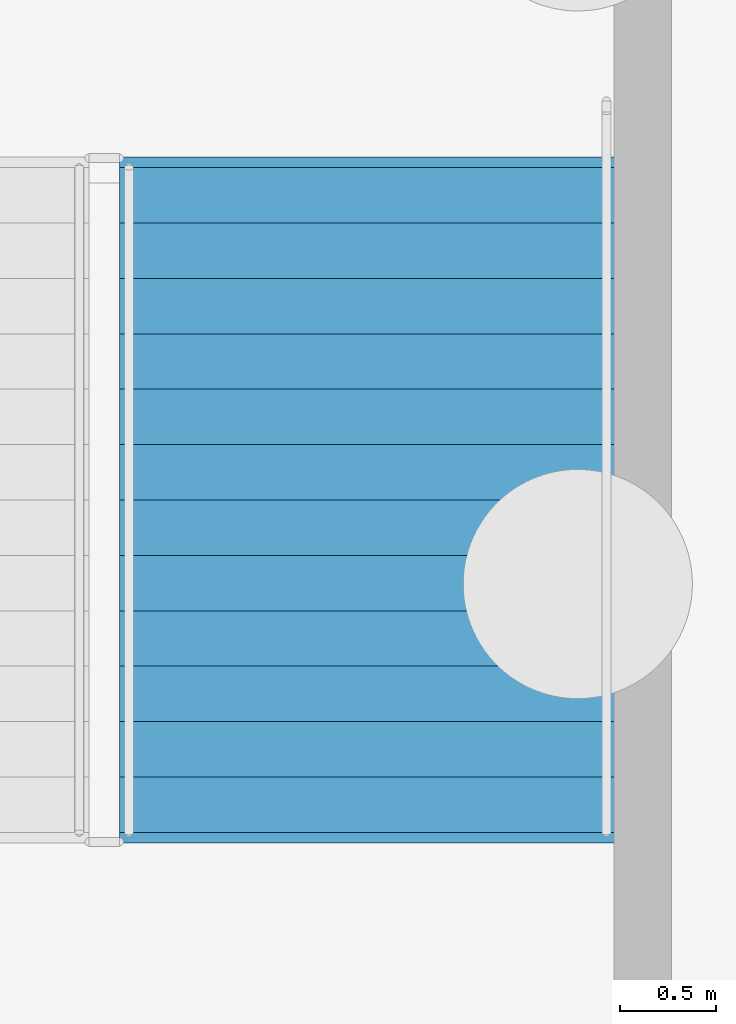
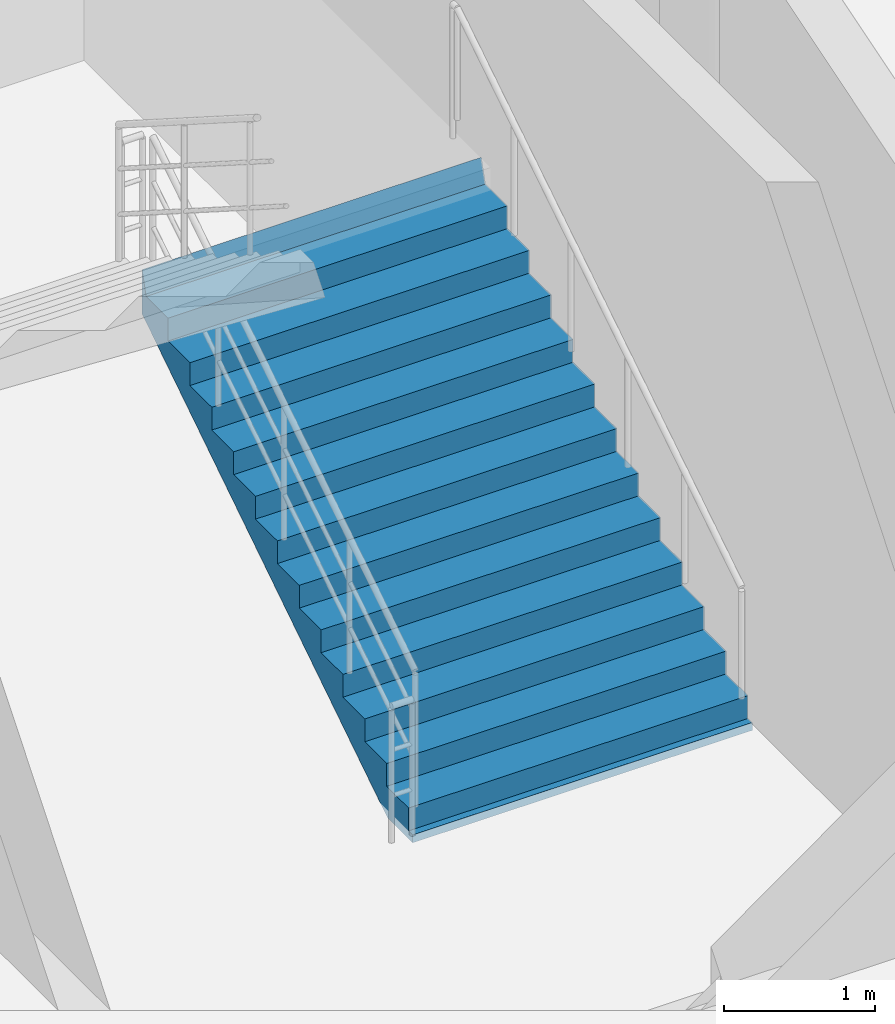
# One storey, part 55 of 68: 1 stair flight, 1 element without a shape of its own.
"""IFC4 building model written with IfcOpenShell, lengths in metres."""

from ifc_helpers import new_model, si_unit, direction, frame, origin, place, context, subcontext, project, spatial, polyline, outline, extrude, material, type_object, element, aggregate, save


model = new_model("IFC4")

# Units and contexts
model_context = context("Model", 3, precision=1e-05, world=origin(), true_north=direction((0.0, 1.0)))
body_context = subcontext(model_context, "Body", "Model", "MODEL_VIEW")
ifc_project = project(units=[si_unit("LENGTHUNIT", "METRE"), si_unit("AREAUNIT", "SQUARE_METRE"), si_unit("VOLUMEUNIT", "CUBIC_METRE"), si_unit("PLANEANGLEUNIT", "RADIAN"), si_unit("MASSUNIT", "GRAM", prefix="KILO")], contexts=[model_context])

# Site, building, storey
site_placement = place(None, origin())
site = spatial("IfcSite", under=ifc_project, at=site_placement, CompositionType="ELEMENT")
building_placement = place(site_placement, origin())
building = spatial("IfcBuilding", under=site, at=building_placement, Name="Cinderbank Siding Concert Hall", CompositionType="ELEMENT")
storey_placement = place(building_placement, frame((0.0, 0.0, -4.800048828125)))
storey = spatial("IfcBuildingStorey", under=building, at=storey_placement, Name="B1", CompositionType="ELEMENT", Elevation=-4.800048828125)

# Stair, stair flight
ifc_material = material(Name="Reinforced concrete AS 3600 N50 (50 MPa)", Category="concrete")
stair_type = type_object("IfcStairType", Name="STR-B Dogleg Exit Stair 2600mm", PredefinedType="HALF_TURN_STAIR", material=ifc_material)
stair_placement = place(storey_placement, origin())
stair = element("IfcStair", 1, at=stair_placement, inside=storey, type_object=stair_type, Name="B1 Fire-isolated Exit Stair ST-03", PredefinedType="HALF_TURN_STAIR")
stair_flight_type = type_object("IfcStairFlightType", Name="SFL-B Concrete Stair Flight 2600mm", PredefinedType="STRAIGHT", material=ifc_material)
stair_flight_placement = place(storey_placement, frame((145.89990234375, 40.89990234375, 0.0), z_axis=(0.0, 0.0, 1.0), x_axis=(0.0, 1.0, 0.0)))
stair_flight = element("IfcStairFlight", 2, at=stair_flight_placement, type_object=stair_flight_type, Name="ST-03 flight 1", NumberOfRisers=13, NumberOfTreads=12, PredefinedType="STRAIGHT", RiserHeight=0.184615385, TreadLength=0.29, context=body_context, shape_type="SweptSolid", body=[
    extrude(outline(polyline([(0.0, 0.0), (0.0, 0.1845703125), (0.2900390625, 0.1845703125), (0.2900390625, 0.369140625), (0.580078125, 0.369140625), (0.580078125, 0.553955078125), (0.8701171875, 0.553955078125), (0.8701171875, 0.738525390625), (1.159912109375, 0.738525390625), (1.159912109375, 0.923095703125), (1.449951171875, 0.923095703125), (1.449951171875, 1.107666015625), (1.739990234375, 1.107666015625), (1.739990234375, 1.292236328125), (2.030029296875, 1.292236328125), (2.030029296875, 1.476806640625), (2.320068359375, 1.476806640625), (2.320068359375, 1.66162109375), (2.610107421875, 1.66162109375), (2.610107421875, 1.84619140625), (2.89990234375, 1.84619140625), (2.89990234375, 2.03076171875), (3.18994140625, 2.03076171875), (3.18994140625, 2.21533203125), (3.47998046875, 2.21533203125), (3.534912109375, 2.39990234375), (3.534912109375, 2.03759765625), (3.53466796875, 2.037841796875), (3.53466796875, 2.0380859375), (3.53466796875, 2.038330078125), (3.53466796875, 2.03857421875), (3.53466796875, 2.038818359375), (3.53466796875, 2.0390625), (3.53466796875, 2.039306640625), (3.53466796875, 2.03955078125), (3.53466796875, 2.039794921875), (3.53466796875, 2.0400390625), (3.53466796875, 2.040283203125), (3.53466796875, 2.04052734375), (3.534423828125, 2.04052734375), (3.534423828125, 2.040283203125), (3.534423828125, 2.0400390625), (3.534423828125, 2.039794921875), (3.534423828125, 2.03955078125), (3.534423828125, 2.039306640625), (3.534423828125, 2.0390625), (3.534423828125, 2.038818359375), (3.534423828125, 2.03857421875), (3.534423828125, 2.038330078125), (3.534423828125, 2.0380859375), (3.534423828125, 2.037841796875), (3.534423828125, 2.03759765625), (3.5341796875, 2.037841796875), (3.5341796875, 2.0380859375), (3.5341796875, 2.038330078125), (3.5341796875, 2.03857421875), (3.5341796875, 2.038818359375), (3.5341796875, 2.0390625), (3.5341796875, 2.039306640625), (3.5341796875, 2.03955078125), (3.5341796875, 2.039794921875), (3.5341796875, 2.0400390625), (3.5341796875, 2.040283203125), (3.5341796875, 2.04052734375), (3.533935546875, 2.04052734375), (3.533935546875, 2.040283203125), (3.533935546875, 2.0400390625), (3.533935546875, 2.039794921875), (3.533935546875, 2.03955078125), (3.533935546875, 2.039306640625), (3.533935546875, 2.0390625), (3.533935546875, 2.038818359375), (3.533935546875, 2.03857421875), (3.533935546875, 2.038330078125), (3.533935546875, 2.0380859375), (3.533935546875, 2.037841796875), (3.533935546875, 2.03759765625), (3.53369140625, 2.037841796875), (3.53369140625, 2.0380859375), (3.53369140625, 2.038330078125), (3.53369140625, 2.03857421875), (3.53369140625, 2.038818359375), (3.53369140625, 2.0390625), (3.53369140625, 2.039306640625), (3.53369140625, 2.03955078125), (3.53369140625, 2.039794921875), (3.53369140625, 2.0400390625), (3.53369140625, 2.040283203125), (3.53369140625, 2.04052734375), (3.533447265625, 2.04052734375), (3.533447265625, 2.040283203125), (3.533447265625, 2.0400390625), (3.533447265625, 2.039794921875), (3.533447265625, 2.03955078125), (3.533447265625, 2.039306640625), (3.533447265625, 2.0390625), (3.533447265625, 2.038818359375), (3.533447265625, 2.03857421875), (3.533447265625, 2.038330078125), (3.533447265625, 2.0380859375), (3.533447265625, 2.037841796875), (3.533447265625, 2.03759765625), (3.533203125, 2.037841796875), (3.533203125, 2.0380859375), (3.533203125, 2.038330078125), (3.533203125, 2.03857421875), (3.533203125, 2.038818359375), (3.533203125, 2.0390625), (3.533203125, 2.039306640625), (3.533203125, 2.03955078125), (3.533203125, 2.039794921875), (3.533203125, 2.0400390625), (3.533203125, 2.040283203125), (3.533203125, 2.04052734375), (3.532958984375, 2.04052734375), (3.532958984375, 2.040283203125), (3.532958984375, 2.0400390625), (3.532958984375, 2.039794921875), (3.532958984375, 2.03955078125), (3.532958984375, 2.039306640625), (3.532958984375, 2.0390625), (3.532958984375, 2.038818359375), (3.532958984375, 2.03857421875), (3.532958984375, 2.038330078125), (3.532958984375, 2.0380859375), (3.532958984375, 2.037841796875), (3.532958984375, 2.03759765625), (3.53271484375, 2.037841796875), (3.53271484375, 2.0380859375), (3.53271484375, 2.038330078125), (3.53271484375, 2.03857421875), (3.53271484375, 2.038818359375), (3.53271484375, 2.0390625), (3.53271484375, 2.039306640625), (3.53271484375, 2.03955078125), (3.53271484375, 2.039794921875), (3.53271484375, 2.0400390625), (3.53271484375, 2.040283203125), (3.53271484375, 2.04052734375), (3.532470703125, 2.04052734375), (3.532470703125, 2.040283203125), (3.532470703125, 2.0400390625), (3.532470703125, 2.039794921875), (3.532470703125, 2.03955078125), (3.532470703125, 2.039306640625), (3.532470703125, 2.0390625), (3.532470703125, 2.038818359375), (3.532470703125, 2.03857421875), (3.532470703125, 2.038330078125), (3.532470703125, 2.0380859375), (3.532470703125, 2.037841796875), (3.532470703125, 2.03759765625), (3.5322265625, 2.037841796875), (3.5322265625, 2.0380859375), (3.5322265625, 2.038330078125), (3.5322265625, 2.03857421875), (3.5322265625, 2.038818359375), (3.5322265625, 2.0390625), (3.5322265625, 2.039306640625), (3.5322265625, 2.03955078125), (3.5322265625, 2.039794921875), (3.5322265625, 2.0400390625), (3.5322265625, 2.040283203125), (3.5322265625, 2.04052734375), (3.531982421875, 2.04052734375), (3.531982421875, 2.040283203125), (3.531982421875, 2.0400390625), (3.531982421875, 2.039794921875), (3.531982421875, 2.03955078125), (3.531982421875, 2.039306640625), (3.531982421875, 2.0390625), (3.531982421875, 2.038818359375), (3.531982421875, 2.03857421875), (3.531982421875, 2.038330078125), (3.531982421875, 2.0380859375), (3.531982421875, 2.037841796875), (3.531982421875, 2.03759765625), (3.53173828125, 2.037841796875), (3.53173828125, 2.0380859375), (3.53173828125, 2.038330078125), (3.53173828125, 2.03857421875), (3.53173828125, 2.038818359375), (3.53173828125, 2.0390625), (3.53173828125, 2.039306640625), (3.53173828125, 2.03955078125), (3.53173828125, 2.039794921875), (3.53173828125, 2.0400390625), (3.53173828125, 2.040283203125), (3.53173828125, 2.04052734375), (3.531494140625, 2.04052734375), (3.531494140625, 2.040283203125), (3.531494140625, 2.0400390625), (3.531494140625, 2.039794921875), (3.531494140625, 2.03955078125), (3.531494140625, 2.039306640625), (3.531494140625, 2.0390625), (3.531494140625, 2.038818359375), (3.531494140625, 2.03857421875), (3.531494140625, 2.038330078125), (3.531494140625, 2.0380859375), (3.531494140625, 2.037841796875), (3.531494140625, 2.03759765625), (3.53125, 2.037841796875), (3.53125, 2.0380859375), (3.53125, 2.038330078125), (3.53125, 2.03857421875), (3.53125, 2.038818359375), (3.53125, 2.0390625), (3.53125, 2.039306640625), (3.53125, 2.03955078125), (3.53125, 2.039794921875), (3.53125, 2.0400390625), (3.53125, 2.040283203125), (3.53125, 2.04052734375), (3.531005859375, 2.04052734375), (3.531005859375, 2.040283203125), (3.531005859375, 2.0400390625), (3.531005859375, 2.039794921875), (3.531005859375, 2.03955078125), (3.531005859375, 2.039306640625), (3.531005859375, 2.0390625), (3.531005859375, 2.038818359375), (3.531005859375, 2.03857421875), (3.531005859375, 2.038330078125), (3.531005859375, 2.0380859375), (3.531005859375, 2.037841796875), (3.531005859375, 2.03759765625), (3.53076171875, 2.037841796875), (3.53076171875, 2.0380859375), (3.53076171875, 2.038330078125), (3.53076171875, 2.03857421875), (3.53076171875, 2.038818359375), (3.53076171875, 2.0390625), (3.53076171875, 2.039306640625), (3.53076171875, 2.03955078125), (3.53076171875, 2.039794921875), (3.53076171875, 2.0400390625), (3.53076171875, 2.040283203125), (3.53076171875, 2.04052734375), (3.530517578125, 2.04052734375), (3.530517578125, 2.040283203125), (3.530517578125, 2.0400390625), (3.530517578125, 2.039794921875), (3.530517578125, 2.03955078125), (3.530517578125, 2.039306640625), (3.530517578125, 2.0390625), (3.530517578125, 2.038818359375), (3.530517578125, 2.03857421875), (3.530517578125, 2.038330078125), (3.530517578125, 2.0380859375), (3.530517578125, 2.037841796875), (3.530517578125, 2.03759765625), (3.5302734375, 2.037841796875), (3.5302734375, 2.0380859375), (3.5302734375, 2.038330078125), (3.5302734375, 2.03857421875), (3.5302734375, 2.038818359375), (3.5302734375, 2.0390625), (3.5302734375, 2.039306640625), (3.5302734375, 2.03955078125), (3.5302734375, 2.039794921875), (3.5302734375, 2.0400390625), (3.5302734375, 2.040283203125), (3.5302734375, 2.04052734375), (3.530029296875, 2.04052734375), (3.530029296875, 2.040283203125), (3.530029296875, 2.0400390625), (3.530029296875, 2.039794921875), (3.530029296875, 2.03955078125), (3.530029296875, 2.039306640625), (3.530029296875, 2.0390625), (3.530029296875, 2.038818359375), (3.530029296875, 2.03857421875), (3.530029296875, 2.038330078125), (3.530029296875, 2.0380859375), (3.530029296875, 2.037841796875), (3.530029296875, 2.03759765625), (3.52978515625, 2.037841796875), (3.52978515625, 2.0380859375), (3.52978515625, 2.038330078125), (3.52978515625, 2.03857421875), (3.52978515625, 2.038818359375), (3.52978515625, 2.0390625), (3.52978515625, 2.039306640625), (3.52978515625, 2.03955078125), (3.52978515625, 2.039794921875), (3.52978515625, 2.0400390625), (3.52978515625, 2.040283203125), (3.52978515625, 2.04052734375), (3.529541015625, 2.04052734375), (3.529541015625, 2.040283203125), (3.529541015625, 2.0400390625), (3.529541015625, 2.039794921875), (3.529541015625, 2.03955078125), (3.529541015625, 2.039306640625), (3.529541015625, 2.0390625), (3.529541015625, 2.038818359375), (3.529541015625, 2.03857421875), (3.529541015625, 2.038330078125), (3.529541015625, 2.0380859375), (3.529541015625, 2.037841796875), (3.529541015625, 2.03759765625), (3.529296875, 2.037841796875), (3.529296875, 2.0380859375), (3.529296875, 2.038330078125), (3.529296875, 2.03857421875), (3.529296875, 2.038818359375), (3.529296875, 2.0390625), (3.529296875, 2.039306640625), (3.529296875, 2.03955078125), (3.529296875, 2.039794921875), (3.529296875, 2.0400390625), (3.529296875, 2.040283203125), (3.529296875, 2.04052734375), (3.529052734375, 2.04052734375), (3.529052734375, 2.040283203125), (3.529052734375, 2.0400390625), (3.529052734375, 2.039794921875), (3.529052734375, 2.03955078125), (3.529052734375, 2.039306640625), (3.529052734375, 2.0390625), (3.529052734375, 2.038818359375), (3.529052734375, 2.03857421875), (3.529052734375, 2.038330078125), (3.529052734375, 2.0380859375), (3.529052734375, 2.037841796875), (3.529052734375, 2.03759765625), (3.52880859375, 2.037841796875), (3.52880859375, 2.0380859375), (3.52880859375, 2.038330078125), (3.52880859375, 2.03857421875), (3.52880859375, 2.038818359375), (3.52880859375, 2.0390625), (3.52880859375, 2.039306640625), (3.52880859375, 2.03955078125), (3.52880859375, 2.039794921875), (3.52880859375, 2.0400390625), (3.52880859375, 2.040283203125), (3.52880859375, 2.04052734375), (3.528564453125, 2.04052734375), (3.528564453125, 2.040283203125), (3.528564453125, 2.0400390625), (3.528564453125, 2.039794921875), (3.528564453125, 2.03955078125), (3.528564453125, 2.039306640625), (3.528564453125, 2.0390625), (3.528564453125, 2.038818359375), (3.528564453125, 2.03857421875), (3.528564453125, 2.038330078125), (3.528564453125, 2.0380859375), (3.528564453125, 2.037841796875), (3.528564453125, 2.03759765625), (0.279052734375, -0.06396484375), (-0.048583984375, -0.063720703125), (-0.048583984375, -0.0634765625), (-0.048583984375, -0.063232421875), (-0.048583984375, -0.06298828125), (-0.048583984375, -0.062744140625), (-0.048583984375, -0.0625), (-0.048583984375, -0.062255859375), (-0.048583984375, -0.06201171875), (-0.048583984375, -0.061767578125), (-0.048583984375, -0.0615234375), (-0.048583984375, -0.061279296875), (-0.048583984375, -0.06103515625), (-0.048828125, -0.06103515625), (-0.048828125, -0.061279296875), (-0.048828125, -0.0615234375), (-0.048828125, -0.061767578125), (-0.048828125, -0.06201171875), (-0.048828125, -0.062255859375), (-0.048828125, -0.0625), (-0.048828125, -0.062744140625), (-0.048828125, -0.06298828125), (-0.048828125, -0.063232421875), (-0.048828125, -0.0634765625), (-0.048828125, -0.063720703125), (-0.048828125, -0.06396484375), (-0.049072265625, -0.063720703125), (-0.049072265625, -0.0634765625), (-0.049072265625, -0.063232421875), (-0.049072265625, -0.06298828125), (-0.049072265625, -0.062744140625), (-0.049072265625, -0.0625), (-0.049072265625, -0.062255859375), (-0.049072265625, -0.06201171875), (-0.049072265625, -0.061767578125), (-0.049072265625, -0.0615234375), (-0.049072265625, -0.061279296875), (-0.049072265625, -0.06103515625), (-0.04931640625, -0.06103515625), (-0.04931640625, -0.061279296875), (-0.04931640625, -0.0615234375), (-0.04931640625, -0.061767578125), (-0.04931640625, -0.06201171875), (-0.04931640625, -0.062255859375), (-0.04931640625, -0.0625), (-0.04931640625, -0.062744140625), (-0.04931640625, -0.06298828125), (-0.04931640625, -0.063232421875), (-0.04931640625, -0.0634765625), (-0.04931640625, -0.063720703125), (-0.04931640625, -0.06396484375), (-0.049560546875, -0.063720703125), (-0.049560546875, -0.0634765625), (-0.049560546875, -0.063232421875), (-0.049560546875, -0.06298828125), (-0.049560546875, -0.062744140625), (-0.049560546875, -0.0625), (-0.049560546875, -0.062255859375), (-0.049560546875, -0.06201171875), (-0.049560546875, -0.061767578125), (-0.049560546875, -0.0615234375), (-0.049560546875, -0.061279296875), (-0.049560546875, -0.06103515625), (-0.0498046875, -0.06103515625), (-0.0498046875, -0.061279296875), (-0.0498046875, -0.0615234375), (-0.0498046875, -0.061767578125), (-0.0498046875, -0.06201171875), (-0.0498046875, -0.062255859375), (-0.0498046875, -0.0625), (-0.0498046875, -0.062744140625), (-0.0498046875, -0.06298828125), (-0.0498046875, -0.063232421875), (-0.0498046875, -0.0634765625), (-0.0498046875, -0.063720703125), (-0.0498046875, -0.06396484375), (-0.050048828125, -0.063720703125), (-0.050048828125, -0.0634765625), (-0.050048828125, -0.063232421875), (-0.050048828125, -0.06298828125), (-0.050048828125, -0.062744140625), (-0.050048828125, -0.0625), (-0.050048828125, -0.062255859375), (-0.050048828125, -0.06201171875), (-0.050048828125, -0.061767578125), (-0.050048828125, -0.0615234375), (-0.050048828125, -0.061279296875), (-0.050048828125, -0.06103515625), (-0.05029296875, -0.06103515625), (-0.05029296875, -0.061279296875), (-0.05029296875, -0.0615234375), (-0.05029296875, -0.061767578125), (-0.05029296875, -0.06201171875), (-0.05029296875, -0.062255859375), (-0.05029296875, -0.0625), (-0.05029296875, -0.062744140625), (-0.05029296875, -0.06298828125), (-0.05029296875, -0.063232421875), (-0.05029296875, -0.0634765625), (-0.05029296875, -0.063720703125), (-0.05029296875, -0.06396484375), (-0.050537109375, -0.063720703125), (-0.050537109375, -0.0634765625), (-0.050537109375, -0.063232421875), (-0.050537109375, -0.06298828125), (-0.050537109375, -0.062744140625), (-0.050537109375, -0.0625), (-0.050537109375, -0.062255859375), (-0.050537109375, -0.06201171875), (-0.050537109375, -0.061767578125), (-0.050537109375, -0.0615234375), (-0.050537109375, -0.061279296875), (-0.050537109375, -0.06103515625), (-0.05078125, -0.06103515625), (-0.05078125, -0.061279296875), (-0.05078125, -0.0615234375), (-0.05078125, -0.061767578125), (-0.05078125, -0.06201171875), (-0.05078125, -0.062255859375), (-0.05078125, -0.0625), (-0.05078125, -0.062744140625), (-0.05078125, -0.06298828125), (-0.05078125, -0.063232421875), (-0.05078125, -0.0634765625), (-0.05078125, -0.063720703125), (-0.05078125, -0.06396484375), (-0.051025390625, -0.063720703125), (-0.051025390625, -0.0634765625), (-0.051025390625, -0.063232421875), (-0.051025390625, -0.06298828125), (-0.051025390625, -0.062744140625), (-0.051025390625, -0.0625), (-0.051025390625, -0.062255859375), (-0.051025390625, -0.06201171875), (-0.051025390625, -0.061767578125), (-0.051025390625, -0.0615234375), (-0.051025390625, -0.061279296875), (-0.051025390625, -0.06103515625), (-0.05126953125, -0.06103515625), (-0.05126953125, -0.061279296875), (-0.05126953125, -0.0615234375), (-0.05126953125, -0.061767578125), (-0.05126953125, -0.06201171875), (-0.05126953125, -0.062255859375), (-0.05126953125, -0.0625), (-0.05126953125, -0.062744140625), (-0.05126953125, -0.06298828125), (-0.05126953125, -0.063232421875), (-0.05126953125, -0.0634765625), (-0.05126953125, -0.063720703125), (-0.05126953125, -0.06396484375), (-0.051513671875, -0.063720703125), (-0.051513671875, -0.0634765625), (-0.051513671875, -0.063232421875), (-0.051513671875, -0.06298828125), (-0.051513671875, -0.062744140625), (-0.051513671875, -0.0625), (-0.051513671875, -0.062255859375), (-0.051513671875, -0.06201171875), (-0.051513671875, -0.061767578125), (-0.051513671875, -0.0615234375), (-0.051513671875, -0.061279296875), (-0.051513671875, -0.06103515625), (-0.0517578125, -0.06103515625), (-0.0517578125, -0.061279296875), (-0.0517578125, -0.0615234375), (-0.0517578125, -0.061767578125), (-0.0517578125, -0.06201171875), (-0.0517578125, -0.062255859375), (-0.0517578125, -0.0625), (-0.0517578125, -0.062744140625), (-0.0517578125, -0.06298828125), (-0.0517578125, -0.063232421875), (-0.0517578125, -0.0634765625), (-0.0517578125, -0.063720703125), (-0.0517578125, -0.06396484375), (-0.052001953125, -0.063720703125), (-0.052001953125, -0.0634765625), (-0.052001953125, -0.063232421875), (-0.052001953125, -0.06298828125), (-0.052001953125, -0.062744140625), (-0.052001953125, -0.0625), (-0.052001953125, -0.062255859375), (-0.052001953125, -0.06201171875), (-0.052001953125, -0.061767578125), (-0.052001953125, -0.0615234375), (-0.052001953125, -0.061279296875), (-0.052001953125, -0.06103515625), (-0.05224609375, -0.06103515625), (-0.05224609375, -0.061279296875), (-0.05224609375, -0.0615234375), (-0.05224609375, -0.061767578125), (-0.05224609375, -0.06201171875), (-0.05224609375, -0.062255859375), (-0.05224609375, -0.0625), (-0.05224609375, -0.062744140625), (-0.05224609375, -0.06298828125), (-0.05224609375, -0.063232421875), (-0.05224609375, -0.0634765625), (-0.05224609375, -0.063720703125), (-0.05224609375, -0.06396484375), (-0.052490234375, -0.063720703125), (-0.052490234375, -0.0634765625), (-0.052490234375, -0.063232421875), (-0.052490234375, -0.06298828125), (-0.052490234375, -0.062744140625), (-0.052490234375, -0.0625), (-0.052490234375, -0.062255859375), (-0.052490234375, -0.06201171875), (-0.052490234375, -0.061767578125), (-0.052490234375, -0.0615234375), (-0.052490234375, -0.061279296875), (-0.052490234375, -0.06103515625), (-0.052734375, -0.06103515625), (-0.052734375, -0.061279296875), (-0.052734375, -0.0615234375), (-0.052734375, -0.061767578125), (-0.052734375, -0.06201171875), (-0.052734375, -0.062255859375), (-0.052734375, -0.0625), (-0.052734375, -0.062744140625), (-0.052734375, -0.06298828125), (-0.052734375, -0.063232421875), (-0.052734375, -0.0634765625), (-0.052734375, -0.063720703125), (-0.052734375, -0.06396484375), (-0.052978515625, -0.063720703125), (-0.052978515625, -0.0634765625), (-0.052978515625, -0.063232421875), (-0.052978515625, -0.06298828125), (-0.052978515625, -0.062744140625), (-0.052978515625, -0.0625), (-0.052978515625, -0.062255859375), (-0.052978515625, -0.06201171875), (-0.052978515625, -0.061767578125), (-0.052978515625, -0.0615234375), (-0.052978515625, -0.061279296875), (-0.052978515625, -0.06103515625), (-0.05322265625, -0.06103515625), (-0.05322265625, -0.061279296875), (-0.05322265625, -0.0615234375), (-0.05322265625, -0.061767578125), (-0.05322265625, -0.06201171875), (-0.05322265625, -0.062255859375), (-0.05322265625, -0.0625), (-0.05322265625, -0.062744140625), (-0.05322265625, -0.06298828125), (-0.05322265625, -0.063232421875), (-0.05322265625, -0.0634765625), (-0.05322265625, -0.063720703125), (-0.05322265625, -0.06396484375), (-0.053466796875, -0.063720703125), (-0.053466796875, -0.0634765625), (-0.053466796875, -0.063232421875), (-0.053466796875, -0.06298828125), (-0.053466796875, -0.062744140625), (-0.053466796875, -0.0625), (-0.053466796875, -0.062255859375), (-0.053466796875, -0.06201171875), (-0.053466796875, -0.061767578125), (-0.053466796875, -0.0615234375), (-0.053466796875, -0.061279296875), (-0.053466796875, -0.06103515625), (-0.0537109375, -0.06103515625), (-0.0537109375, -0.061279296875), (-0.0537109375, -0.0615234375), (-0.0537109375, -0.061767578125), (-0.0537109375, -0.06201171875), (-0.0537109375, -0.062255859375), (-0.0537109375, -0.0625), (-0.0537109375, -0.062744140625), (-0.0537109375, -0.06298828125), (-0.0537109375, -0.063232421875), (-0.0537109375, -0.0634765625), (-0.0537109375, -0.063720703125), (-0.0537109375, -0.06396484375), (-0.053955078125, -0.063720703125), (-0.053955078125, -0.0634765625), (-0.053955078125, -0.063232421875), (-0.053955078125, -0.06298828125), (-0.053955078125, -0.062744140625), (-0.053955078125, -0.0625), (-0.053955078125, -0.062255859375), (-0.053955078125, -0.06201171875), (-0.053955078125, -0.061767578125), (-0.053955078125, -0.0615234375), (-0.053955078125, -0.061279296875), (-0.053955078125, -0.06103515625), (-0.05419921875, -0.06103515625), (-0.05419921875, -0.061279296875), (-0.05419921875, -0.0615234375), (-0.05419921875, -0.061767578125), (-0.05419921875, -0.06201171875), (-0.05419921875, -0.062255859375), (-0.05419921875, -0.0625), (-0.05419921875, -0.062744140625), (-0.05419921875, -0.06298828125), (-0.05419921875, -0.063232421875), (-0.05419921875, -0.0634765625), (-0.05419921875, -0.063720703125), (-0.05419921875, -0.06396484375), (-0.054443359375, -0.063720703125), (-0.054443359375, -0.0634765625), (-0.054443359375, -0.063232421875), (-0.054443359375, -0.06298828125), (-0.054443359375, -0.062744140625), (-0.054443359375, -0.0625), (-0.054443359375, -0.062255859375), (-0.054443359375, -0.06201171875), (-0.054443359375, -0.061767578125), (-0.054443359375, -0.0615234375), (-0.054443359375, -0.061279296875), (-0.054443359375, -0.06103515625), (-0.0546875, -0.06103515625), (-0.0546875, -0.061279296875), (-0.0546875, -0.0615234375), (-0.0546875, -0.061767578125), (-0.0546875, -0.06201171875), (-0.0546875, -0.062255859375), (-0.0546875, -0.0625), (-0.0546875, -0.062744140625), (-0.0546875, -0.06298828125), (-0.0546875, -0.063232421875), (-0.0546875, -0.0634765625), (-0.0546875, -0.063720703125), (-0.0546875, -0.06396484375), (-0.054931640625, -0.06396484375), (-0.054931640625, 0.0), (0.0, 0.0)])), frame((0.0, 1.300048828125, 0.0), z_axis=(0.0, -1.0, 0.0), x_axis=(1.0, 0.0, 0.0)), (0.0, 0.0, 1.0), 2.60009765625),
])
aggregate(stair, [stair_flight])

save(model, "model.ifc")
